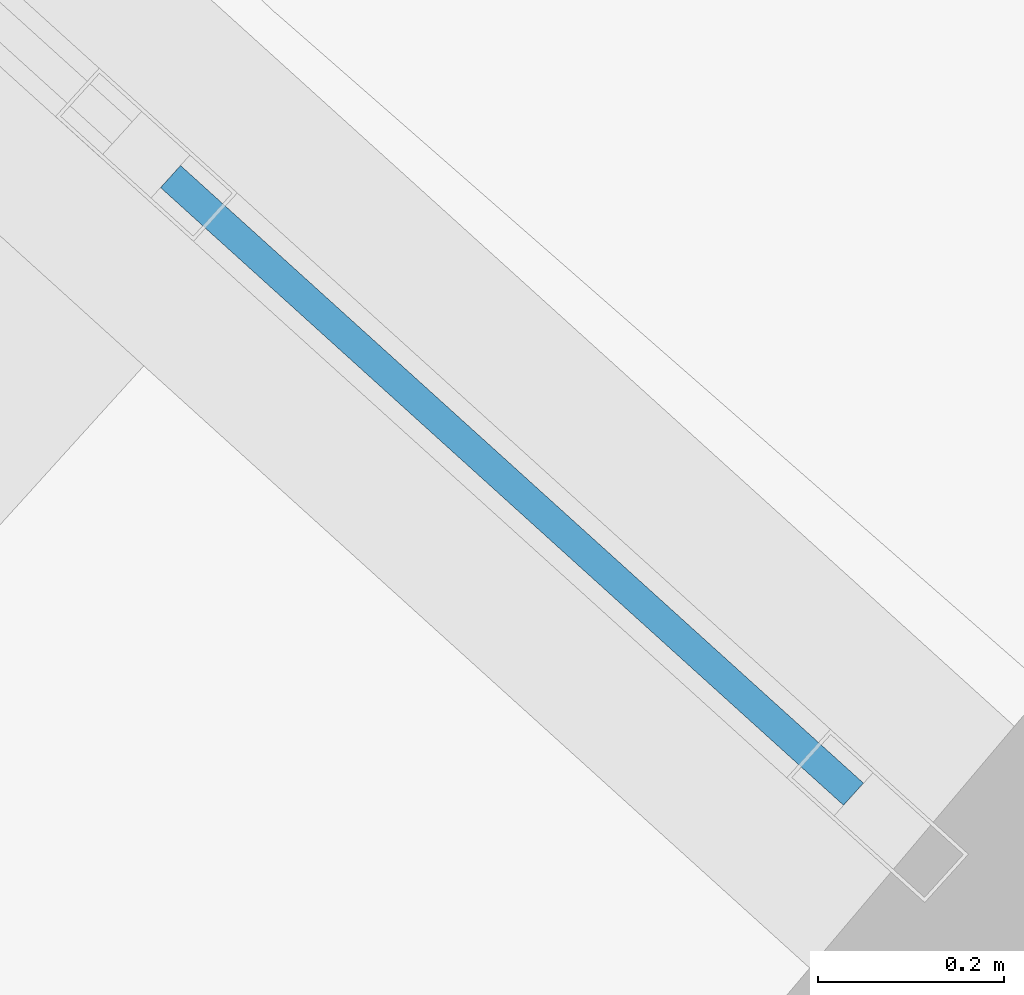
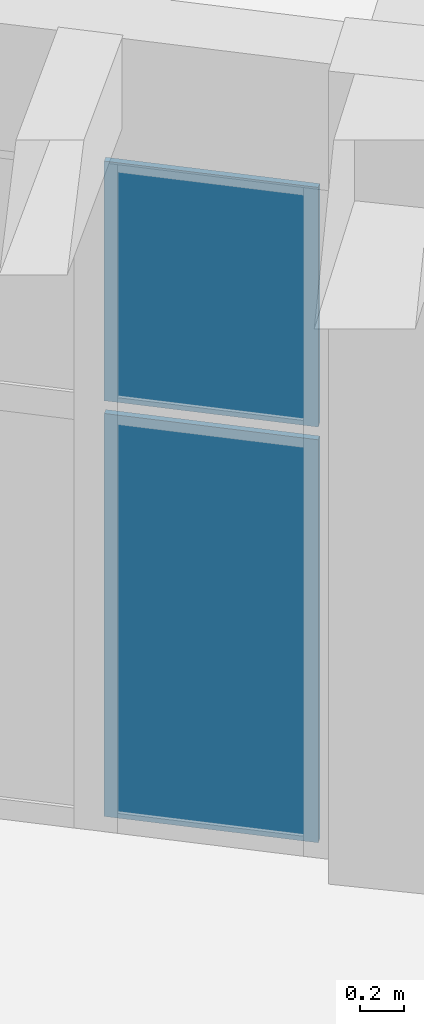
# One storey, part 69 of 132: 2 plates, 1 element without a shape of its own.
"""IFC4 building model written with IfcOpenShell, lengths in metres."""

from ifc_helpers import new_model, si_unit, direction, frame, origin, origin_2d, place, context, subcontext, project, spatial, rectangle, extrude, material, layer, layer_set, type_object, element, aggregate, save


model = new_model("IFC4")

# Units and contexts
model_context = context("Model", 3, precision=1e-05, world=origin(), true_north=direction((0.0, 1.0)))
body_context = subcontext(model_context, "Body", "Model", "MODEL_VIEW")
ifc_project = project(units=[si_unit("LENGTHUNIT", "METRE"), si_unit("AREAUNIT", "SQUARE_METRE"), si_unit("VOLUMEUNIT", "CUBIC_METRE"), si_unit("PLANEANGLEUNIT", "RADIAN"), si_unit("MASSUNIT", "GRAM", prefix="KILO")], contexts=[model_context])

# Site, building, storey
site_placement = place(None, origin())
site = spatial("IfcSite", under=ifc_project, at=site_placement, CompositionType="ELEMENT")
building_placement = place(site_placement, origin())
building = spatial("IfcBuilding", under=site, at=building_placement, Name="Tanwirah Colonnade Gardens", CompositionType="ELEMENT")
storey_placement = place(building_placement, origin())
storey = spatial("IfcBuildingStorey", under=building, at=storey_placement, Name="L00", CompositionType="ELEMENT", Elevation=0.0)

# Curtain wall, plates
ifc_material_1 = material(Name="Bronze-anodised aluminium and solar-control low-E glass", Category="aluminium")
curtain_wall_type = type_object("IfcCurtainWallType", Name="CW-GDN", PredefinedType="NOTDEFINED", material=ifc_material_1)
curtain_wall_placement = place(storey_placement, origin())
curtain_wall = element("IfcCurtainWall", 1, at=curtain_wall_placement, inside=storey, type_object=curtain_wall_type, Name="Curtain Wall CW-C-L00-IN-08", PredefinedType="NOTDEFINED")
ifc_material_2 = material(Name="Acoustic solar-control low-E double glazing", Category="glass")
ifc_layer = layer(ifc_material_2, 0.031982421875)
ifc_layer_set = layer_set([ifc_layer], Name="Acoustic solar-control low-E double glazing")
plate_type = type_object("IfcPlateType", Name="CWP-GLZ32", PredefinedType="CURTAIN_PANEL", material=ifc_layer_set)
plate_1_placement = place(storey_placement, frame((35.593994140625, 31.194580078125, 0.070068359375), z_axis=(0.0, 0.0, 1.0), x_axis=(0.741682643058, -0.670750964954, 0.0)))
plate_1 = element("IfcPlate", 2, at=plate_1_placement, type_object=plate_type, Name="CW-GDN panel 2.1", PredefinedType="CURTAIN_PANEL", context=body_context, shape_type="SweptSolid", body=[
    extrude(rectangle(XDim=0.9892578125, YDim=0.031982421875, at=origin_2d()), origin(), (0.0, 0.0, 1.0), 2.22314453125),
])
plate_2_placement = place(storey_placement, frame((35.593994140625, 31.194580078125, 2.36328125), z_axis=(0.0, 0.0, 1.0), x_axis=(0.741682643058, -0.670750964954, 0.0)))
plate_2 = element("IfcPlate", 3, at=plate_2_placement, type_object=plate_type, Name="CW-GDN panel 2.2", PredefinedType="CURTAIN_PANEL", context=body_context, shape_type="SweptSolid", body=[
    extrude(rectangle(XDim=0.9892578125, YDim=0.031982421875, at=origin_2d()), origin(), (0.0, 0.0, 1.0), 1.322021484375),
])
aggregate(curtain_wall, [plate_1, plate_2])

save(model, "model.ifc")
